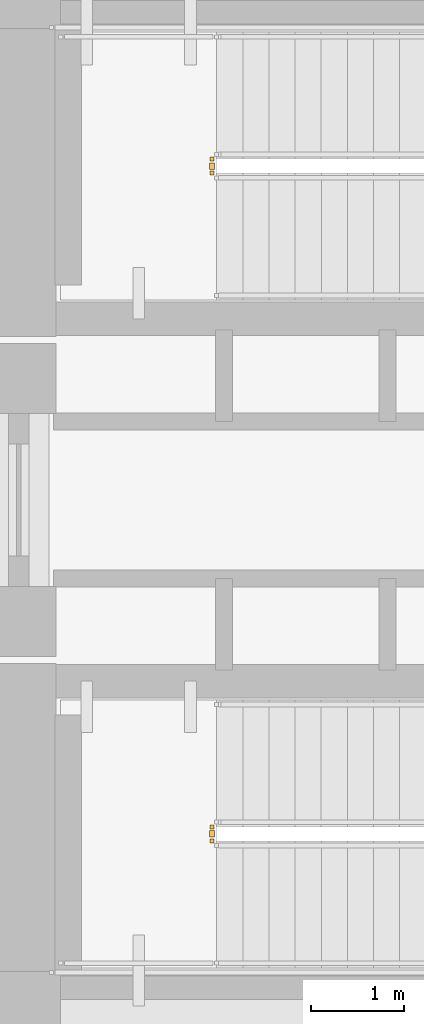
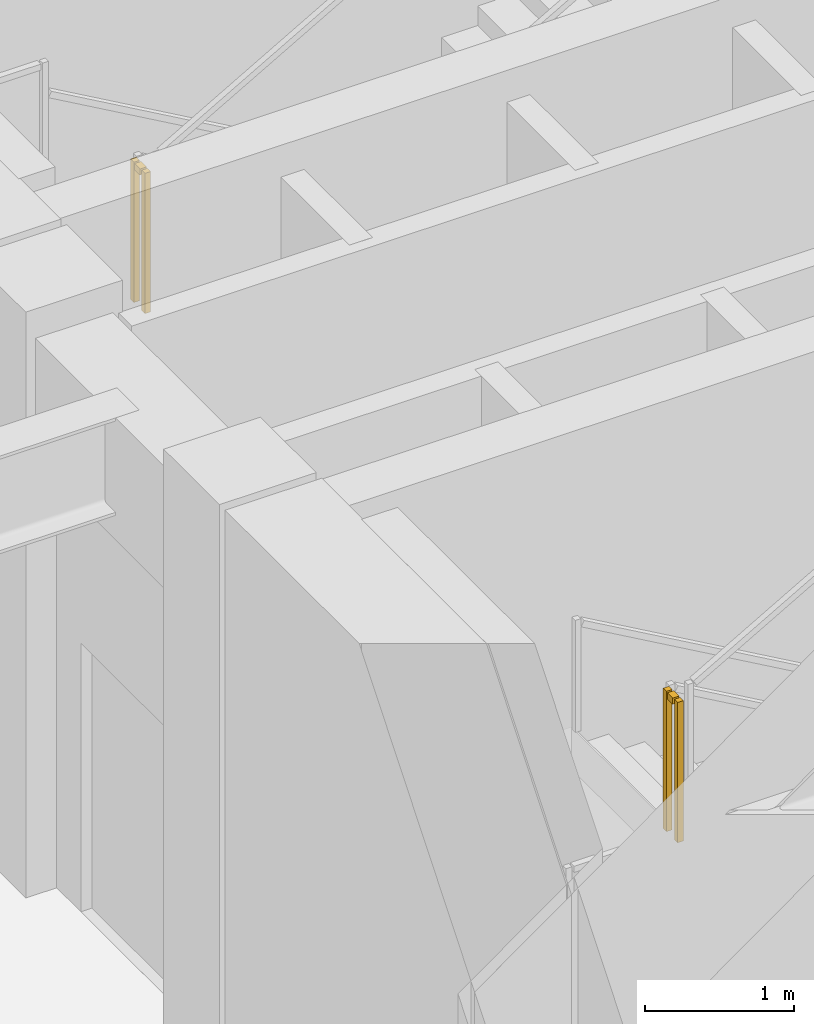
# One storey, part 8 of 13: 2 railings.
"""IFC4 building model written with IfcOpenShell, lengths in metres."""

import ifcopenshell
import ifcopenshell.guid

model = None  # the IFC model being written
_history = None  # IfcOwnerHistory: only IFC2X3 demands one
_inside = {}  # id of a spatial element -> (the spatial element, [elements in it])
_under = {}  # id of a project, library or spatial element -> (it, [spatial elements below it])
_declared = {}  # id of a project -> (the project, [libraries it declares])
_typed = {}  # id of a type object -> (the type object, [elements of that type])
_made_of = {}  # id of a material, layer set ... -> (it, [elements and type objects made of it])


def new_model(schema):
    """Start an empty IFC model of exactly this schema.

    Asked for "IFC4X3", IfcOpenShell would pick the latest addendum, in which some entities
    have other attributes; the version numbers below select the first issue.
    IFC2X3 requires an IfcOwnerHistory on every rooted entity: one is made here for all.
    """
    global model, _history
    if schema == "IFC4X3":
        model = ifcopenshell.file(schema_version=(4, 3, 0, 0))
    else:
        model = ifcopenshell.file(schema=schema)
    _inside.clear()
    _under.clear()
    _declared.clear()
    _typed.clear()
    _made_of.clear()
    _history = None
    if model.schema == "IFC2X3":
        org = make("IfcOrganization", Name="unknown")
        user = make(
            "IfcPersonAndOrganization",
            ThePerson=make("IfcPerson", FamilyName="unknown"),
            TheOrganization=org,
        )
        app = make(
            "IfcApplication",
            ApplicationDeveloper=org,
            Version="unknown",
            ApplicationFullName="unknown",
            ApplicationIdentifier="unknown",
        )
        _history = make(
            "IfcOwnerHistory",
            OwningUser=user,
            OwningApplication=app,
            ChangeAction="ADDED",
            CreationDate=0,
        )
    return model


def make(cls, **values):
    """One entity of the class cls with the attributes given. An attribute that is None is left unset."""
    return model.create_entity(
        cls, **{name: value for name, value in values.items() if value is not None}
    )


def rooted(cls, **values):
    """An entity with a GlobalId (a new one), such as an element, a storey or a relation."""
    return make(cls, GlobalId=ifcopenshell.guid.new(), OwnerHistory=_history, **values)


def si_unit(unit_type, name, prefix=None):
    """IfcSIUnit, for example si_unit("LENGTHUNIT", "METRE", prefix="MILLI")."""
    return make("IfcSIUnit", UnitType=unit_type, Prefix=prefix, Name=name)


def assignment(units):
    """IfcUnitAssignment: the units of a project."""
    return None if units is None else make("IfcUnitAssignment", Units=units)


def point(xyz):
    """IfcCartesianPoint."""
    return None if xyz is None else make("IfcCartesianPoint", Coordinates=xyz)


def direction(xyz):
    """IfcDirection."""
    return None if xyz is None else make("IfcDirection", DirectionRatios=xyz)


def frame(location, z_axis=None, x_axis=None):
    """IfcAxis2Placement3D, a coordinate frame: its origin and axes. An axis left out is left unset."""
    return make(
        "IfcAxis2Placement3D",
        Location=point(location),
        Axis=direction(z_axis),
        RefDirection=direction(x_axis),
    )


def frame_2d(location, x_axis=None):
    """IfcAxis2Placement2D, a coordinate frame in the plane: its origin and x axis."""
    return make(
        "IfcAxis2Placement2D", Location=point(location), RefDirection=direction(x_axis)
    )


def origin():
    """The frame at (0, 0, 0) with its axes left unset."""
    return frame((0.0, 0.0, 0.0))


def origin_2d():
    """The frame at (0, 0) in the plane with its x axis left unset."""
    return frame_2d((0.0, 0.0))


def place(relative_to, where):
    """IfcLocalPlacement: puts the frame where relative to a parent placement (None: the world)."""
    return make(
        "IfcLocalPlacement", PlacementRelTo=relative_to, RelativePlacement=where
    )


def context(
    kind, dimensions, precision=None, world=None, true_north=None, identifier=None
):
    """IfcGeometricRepresentationContext, for example the 3D "Model" context."""
    return make(
        "IfcGeometricRepresentationContext",
        ContextIdentifier=identifier,
        ContextType=kind,
        CoordinateSpaceDimension=dimensions,
        Precision=precision,
        WorldCoordinateSystem=world,
        TrueNorth=true_north,
    )


def subcontext(parent, identifier, kind, view, scale=None):
    """IfcGeometricRepresentationSubContext, for example "Body" below "Model"."""
    return make(
        "IfcGeometricRepresentationSubContext",
        ContextIdentifier=identifier,
        ContextType=kind,
        ParentContext=parent,
        TargetScale=scale,
        TargetView=view,
    )


def project(units=None, contexts=None):
    """IfcProject with its units and contexts."""
    return rooted(
        "IfcProject",
        Name="project",
        RepresentationContexts=contexts,
        UnitsInContext=assignment(units),
    )


def spatial(cls, under=None, at=None, **own):
    """A site, building, storey or space (cls), placed at a placement, below another one or the project."""
    s = rooted(cls, ObjectPlacement=at, **own)
    if under is not None:
        _under.setdefault(under.id(), (under, []))[1].append(s)
    return s


def profile(cls, at=None, kind="AREA", **sizes):
    """A parametric profile (cls). Its sizes go by their IFC names, for example OverallWidth=200.0."""
    return make(cls, ProfileType=kind, Position=at, **sizes)


def rectangle(**sizes):
    """IfcRectangleProfileDef."""
    return profile("IfcRectangleProfileDef", **sizes)


def extrude(swept, where, along, depth):
    """IfcExtrudedAreaSolid: the profile swept, set in the frame where, extruded along a direction by depth."""
    return make(
        "IfcExtrudedAreaSolid",
        SweptArea=swept,
        Position=where,
        ExtrudedDirection=direction(along),
        Depth=depth,
    )


def shape(context_of_items, identifier, shape_type, items):
    """IfcShapeRepresentation: the items that make up one representation, for example the "Body"."""
    return make(
        "IfcShapeRepresentation",
        ContextOfItems=context_of_items,
        RepresentationIdentifier=identifier,
        RepresentationType=shape_type,
        Items=items,
    )


def material(Name=None, Category=None):
    """IfcMaterial."""
    return make("IfcMaterial", Name=Name, Category=Category)


def made_of(thing, what):
    """Note that an element or type object is made of a material, layer set ...; save() writes the relation."""
    if what is not None:
        _made_of.setdefault(what.id(), (what, []))[1].append(thing)
    return thing


def type_object(cls, material=None, **own):
    """A type object (cls), such as IfcWallType, which elements share."""
    return made_of(rooted(cls, **own), material)


def element(
    cls,
    number,
    at=None,
    inside=None,
    cuts=None,
    type_object=None,
    material=None,
    context=None,
    identifier="Body",
    shape_type=None,
    held_by="IfcProductDefinitionShape",
    body=None,
    shapes=None,
    **own,
):
    """One element of the class cls, such as IfcWall. Its Tag is "e" and its number.

    at: its placement. inside: the storey or other place that contains it. cuts: it is an
    opening in that element (IfcRelVoidsElement). A single representation is given by context,
    identifier, shape_type and body (its items); several are given by shapes. held_by: the class
    of the entity that holds the representations. save() writes the other relations.
    """
    e = rooted(cls, Tag="e%d" % number, ObjectPlacement=at, **own)
    if body is not None:
        shapes = [shape(context, identifier, shape_type, body)]
    if shapes is not None:
        e.Representation = make(held_by, Representations=shapes)
    if inside is not None:
        _inside.setdefault(inside.id(), (inside, []))[1].append(e)
    if cuts is not None:
        rooted(
            "IfcRelVoidsElement", RelatingBuildingElement=cuts, RelatedOpeningElement=e
        )
    if type_object is not None:
        _typed.setdefault(type_object.id(), (type_object, []))[1].append(e)
    return made_of(e, material)


def aggregate(whole, parts):
    """IfcRelAggregates: a whole, such as a stair, and the parts it consists of."""
    return rooted("IfcRelAggregates", RelatingObject=whole, RelatedObjects=parts)


def save(model, path):
    """Write the relations noted so far, then the file.

    IfcRelAggregates (storeys below a building ...), IfcRelContainedInSpatialStructure (elements
    in a storey), IfcRelDefinesByType, IfcRelAssociatesMaterial and IfcRelDeclares: one each for
    every whole, place, type object, material and project.
    """
    for whole, parts in _under.values():
        aggregate(whole, parts)
    for where, things in _inside.values():
        rooted(
            "IfcRelContainedInSpatialStructure",
            RelatedElements=things,
            RelatingStructure=where,
        )
    for kind, things in _typed.values():
        rooted("IfcRelDefinesByType", RelatedObjects=things, RelatingType=kind)
    for what, things in _made_of.values():
        rooted("IfcRelAssociatesMaterial", RelatedObjects=things, RelatingMaterial=what)
    for by, libraries in _declared.values():
        rooted("IfcRelDeclares", RelatingContext=by, RelatedDefinitions=libraries)
    model.write(path)


model = new_model("IFC4")

# Units and contexts
model_context = context("Model", 3, precision=1e-05, world=origin(), true_north=direction((0.0, 1.0)))
body_context = subcontext(model_context, "Body", "Model", "MODEL_VIEW")
ifc_project = project(units=[si_unit("LENGTHUNIT", "METRE"), si_unit("AREAUNIT", "SQUARE_METRE"), si_unit("VOLUMEUNIT", "CUBIC_METRE"), si_unit("PLANEANGLEUNIT", "RADIAN"), si_unit("MASSUNIT", "GRAM", prefix="KILO")], contexts=[model_context])

# Site, building, storey
site_placement = place(None, origin())
site = spatial("IfcSite", under=ifc_project, at=site_placement, CompositionType="ELEMENT")
building_placement = place(site_placement, origin())
building = spatial("IfcBuilding", under=site, at=building_placement, Name="Yunling Apex Tower", CompositionType="ELEMENT")
storey_placement = place(building_placement, frame((0.0, 0.0, -4.800048828125)))
storey = spatial("IfcBuildingStorey", under=building, at=storey_placement, Name="B01", CompositionType="ELEMENT", Elevation=-4.800048828125)

# Railings
ifc_material = material(Name="Steel Q355B", Category="steel")
railing_type = type_object("IfcRailingType", Name="RL-GRD-1150", PredefinedType="GUARDRAIL", material=ifc_material)
for number, where, name in (
    (1, (-3.97998046875, 3.64990234375, 2.400146484375), "B01 ST-1 stair guard 2"),
    (2, (-3.97998046875, -3.5, 2.400146484375), "B01 ST-2 stair guard 2"),
):
    element("IfcRailing", number, at=place(storey_placement, frame(where)), inside=storey, type_object=railing_type, Name=name, PredefinedType="GUARDRAIL", context=body_context, shape_type="SweptSolid", body=[
        extrude(rectangle(XDim=0.0439453125, YDim=0.0439453125, at=origin_2d()), origin(), (0.0, 0.0, 1.0), 1.14990234375),
        extrude(rectangle(XDim=0.0439453125, YDim=0.0439453125, at=origin_2d()), frame((0.0, -0.14990234375, 0.0)), (0.0, 0.0, 1.0), 1.14990234375),
        extrude(rectangle(XDim=0.050048828125, YDim=0.050048828125, at=origin_2d()), frame((0.0, -0.038330078125, 1.125), z_axis=(0.0, -1.0, 0.0), x_axis=(1.0, 0.0, 0.0)), (0.0, 0.0, 1.0), 0.0732421875),
    ])

save(model, "model.ifc")
